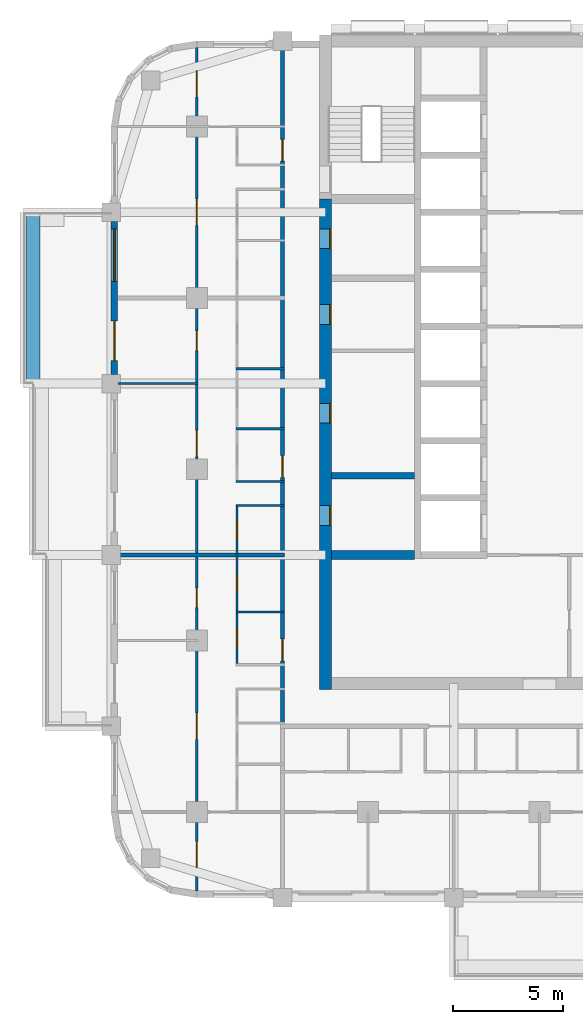
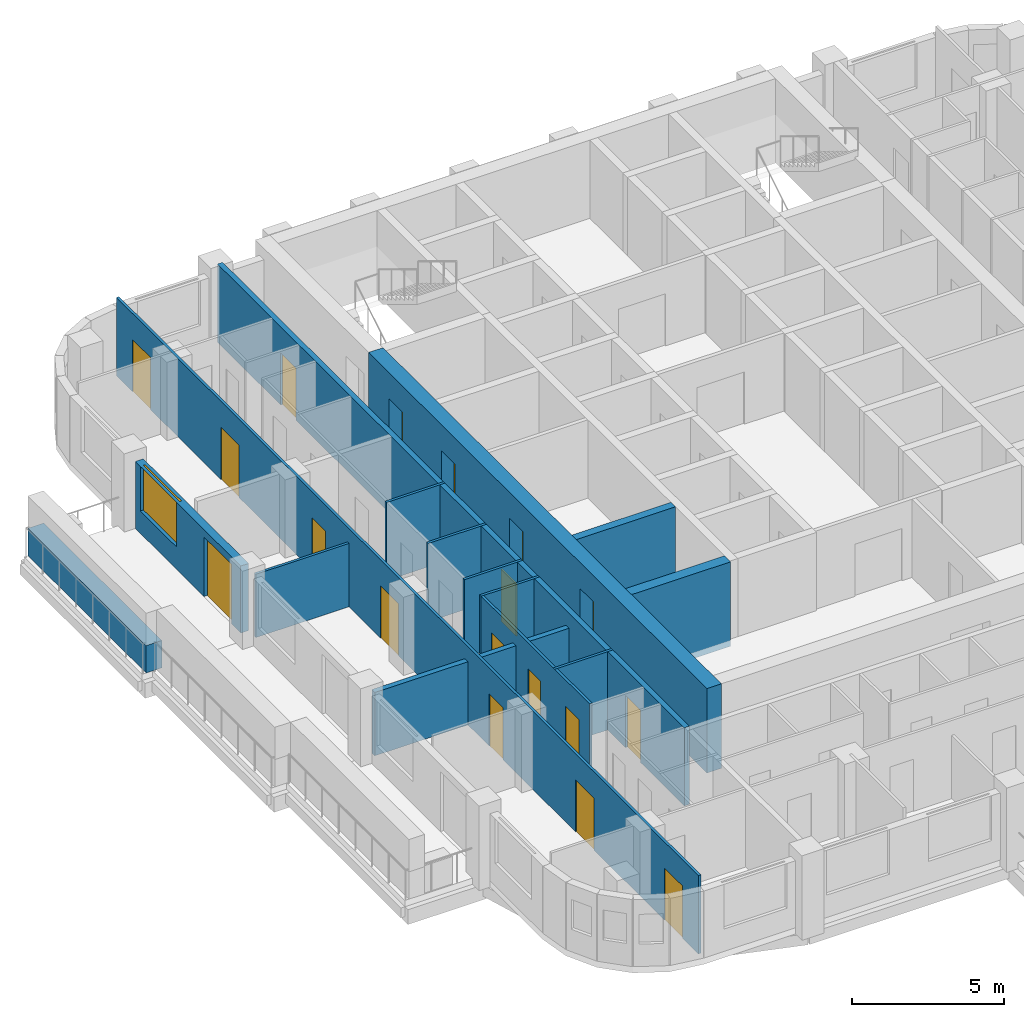
# One storey, part 4 of 13: 18 doors, 15 walls, 1 window, 19 openings.
"""IFC4 building model written with IfcOpenShell, lengths in metres."""

import ifcopenshell
import ifcopenshell.guid

model = None  # the IFC model being written
_history = None  # IfcOwnerHistory: only IFC2X3 demands one
_inside = {}  # id of a spatial element -> (the spatial element, [elements in it])
_under = {}  # id of a project, library or spatial element -> (it, [spatial elements below it])
_declared = {}  # id of a project -> (the project, [libraries it declares])
_typed = {}  # id of a type object -> (the type object, [elements of that type])
_made_of = {}  # id of a material, layer set ... -> (it, [elements and type objects made of it])


def new_model(schema):
    """Start an empty IFC model of exactly this schema.

    Asked for "IFC4X3", IfcOpenShell would pick the latest addendum, in which some entities
    have other attributes; the version numbers below select the first issue.
    IFC2X3 requires an IfcOwnerHistory on every rooted entity: one is made here for all.
    """
    global model, _history
    if schema == "IFC4X3":
        model = ifcopenshell.file(schema_version=(4, 3, 0, 0))
    else:
        model = ifcopenshell.file(schema=schema)
    _inside.clear()
    _under.clear()
    _declared.clear()
    _typed.clear()
    _made_of.clear()
    _history = None
    if model.schema == "IFC2X3":
        org = make("IfcOrganization", Name="unknown")
        user = make(
            "IfcPersonAndOrganization",
            ThePerson=make("IfcPerson", FamilyName="unknown"),
            TheOrganization=org,
        )
        app = make(
            "IfcApplication",
            ApplicationDeveloper=org,
            Version="unknown",
            ApplicationFullName="unknown",
            ApplicationIdentifier="unknown",
        )
        _history = make(
            "IfcOwnerHistory",
            OwningUser=user,
            OwningApplication=app,
            ChangeAction="ADDED",
            CreationDate=0,
        )
    return model


def make(cls, **values):
    """One entity of the class cls with the attributes given. An attribute that is None is left unset."""
    return model.create_entity(
        cls, **{name: value for name, value in values.items() if value is not None}
    )


def rooted(cls, **values):
    """An entity with a GlobalId (a new one), such as an element, a storey or a relation."""
    return make(cls, GlobalId=ifcopenshell.guid.new(), OwnerHistory=_history, **values)


def si_unit(unit_type, name, prefix=None):
    """IfcSIUnit, for example si_unit("LENGTHUNIT", "METRE", prefix="MILLI")."""
    return make("IfcSIUnit", UnitType=unit_type, Prefix=prefix, Name=name)


def assignment(units):
    """IfcUnitAssignment: the units of a project."""
    return None if units is None else make("IfcUnitAssignment", Units=units)


def point(xyz):
    """IfcCartesianPoint."""
    return None if xyz is None else make("IfcCartesianPoint", Coordinates=xyz)


def direction(xyz):
    """IfcDirection."""
    return None if xyz is None else make("IfcDirection", DirectionRatios=xyz)


def frame(location, z_axis=None, x_axis=None):
    """IfcAxis2Placement3D, a coordinate frame: its origin and axes. An axis left out is left unset."""
    return make(
        "IfcAxis2Placement3D",
        Location=point(location),
        Axis=direction(z_axis),
        RefDirection=direction(x_axis),
    )


def frame_2d(location, x_axis=None):
    """IfcAxis2Placement2D, a coordinate frame in the plane: its origin and x axis."""
    return make(
        "IfcAxis2Placement2D", Location=point(location), RefDirection=direction(x_axis)
    )


def origin():
    """The frame at (0, 0, 0) with its axes left unset."""
    return frame((0.0, 0.0, 0.0))


def place(relative_to, where):
    """IfcLocalPlacement: puts the frame where relative to a parent placement (None: the world)."""
    return make(
        "IfcLocalPlacement", PlacementRelTo=relative_to, RelativePlacement=where
    )


def context(
    kind, dimensions, precision=None, world=None, true_north=None, identifier=None
):
    """IfcGeometricRepresentationContext, for example the 3D "Model" context."""
    return make(
        "IfcGeometricRepresentationContext",
        ContextIdentifier=identifier,
        ContextType=kind,
        CoordinateSpaceDimension=dimensions,
        Precision=precision,
        WorldCoordinateSystem=world,
        TrueNorth=true_north,
    )


def subcontext(parent, identifier, kind, view, scale=None):
    """IfcGeometricRepresentationSubContext, for example "Body" below "Model"."""
    return make(
        "IfcGeometricRepresentationSubContext",
        ContextIdentifier=identifier,
        ContextType=kind,
        ParentContext=parent,
        TargetScale=scale,
        TargetView=view,
    )


def project(units=None, contexts=None):
    """IfcProject with its units and contexts."""
    return rooted(
        "IfcProject",
        Name="project",
        RepresentationContexts=contexts,
        UnitsInContext=assignment(units),
    )


def spatial(cls, under=None, at=None, **own):
    """A site, building, storey or space (cls), placed at a placement, below another one or the project."""
    s = rooted(cls, ObjectPlacement=at, **own)
    if under is not None:
        _under.setdefault(under.id(), (under, []))[1].append(s)
    return s


def profile(cls, at=None, kind="AREA", **sizes):
    """A parametric profile (cls). Its sizes go by their IFC names, for example OverallWidth=200.0."""
    return make(cls, ProfileType=kind, Position=at, **sizes)


def rectangle(**sizes):
    """IfcRectangleProfileDef."""
    return profile("IfcRectangleProfileDef", **sizes)


def extrude(swept, where, along, depth):
    """IfcExtrudedAreaSolid: the profile swept, set in the frame where, extruded along a direction by depth."""
    return make(
        "IfcExtrudedAreaSolid",
        SweptArea=swept,
        Position=where,
        ExtrudedDirection=direction(along),
        Depth=depth,
    )


def shape(context_of_items, identifier, shape_type, items):
    """IfcShapeRepresentation: the items that make up one representation, for example the "Body"."""
    return make(
        "IfcShapeRepresentation",
        ContextOfItems=context_of_items,
        RepresentationIdentifier=identifier,
        RepresentationType=shape_type,
        Items=items,
    )


def material(Name=None, Category=None):
    """IfcMaterial."""
    return make("IfcMaterial", Name=Name, Category=Category)


def layer(
    of_material, thickness, ventilated=None, Name=None, Category=None, Priority=None
):
    """IfcMaterialLayer: one layer of a wall or slab, of a material (None: an air gap)."""
    return make(
        "IfcMaterialLayer",
        Material=of_material,
        LayerThickness=thickness,
        IsVentilated=ventilated,
        Name=Name,
        Category=Category,
        Priority=Priority,
    )


def layer_set(layers, Name=None):
    """IfcMaterialLayerSet."""
    return make("IfcMaterialLayerSet", MaterialLayers=layers, LayerSetName=Name)


def made_of(thing, what):
    """Note that an element or type object is made of a material, layer set ...; save() writes the relation."""
    if what is not None:
        _made_of.setdefault(what.id(), (what, []))[1].append(thing)
    return thing


def type_object(cls, material=None, **own):
    """A type object (cls), such as IfcWallType, which elements share."""
    return made_of(rooted(cls, **own), material)


def element(
    cls,
    number,
    at=None,
    inside=None,
    cuts=None,
    type_object=None,
    material=None,
    context=None,
    identifier="Body",
    shape_type=None,
    held_by="IfcProductDefinitionShape",
    body=None,
    shapes=None,
    **own,
):
    """One element of the class cls, such as IfcWall. Its Tag is "e" and its number.

    at: its placement. inside: the storey or other place that contains it. cuts: it is an
    opening in that element (IfcRelVoidsElement). A single representation is given by context,
    identifier, shape_type and body (its items); several are given by shapes. held_by: the class
    of the entity that holds the representations. save() writes the other relations.
    """
    e = rooted(cls, Tag="e%d" % number, ObjectPlacement=at, **own)
    if body is not None:
        shapes = [shape(context, identifier, shape_type, body)]
    if shapes is not None:
        e.Representation = make(held_by, Representations=shapes)
    if inside is not None:
        _inside.setdefault(inside.id(), (inside, []))[1].append(e)
    if cuts is not None:
        rooted(
            "IfcRelVoidsElement", RelatingBuildingElement=cuts, RelatedOpeningElement=e
        )
    if type_object is not None:
        _typed.setdefault(type_object.id(), (type_object, []))[1].append(e)
    return made_of(e, material)


def fill(opening, filler):
    """IfcRelFillsElement: the door or window that sits in an opening."""
    return rooted(
        "IfcRelFillsElement",
        RelatingOpeningElement=opening,
        RelatedBuildingElement=filler,
    )


def aggregate(whole, parts):
    """IfcRelAggregates: a whole, such as a stair, and the parts it consists of."""
    return rooted("IfcRelAggregates", RelatingObject=whole, RelatedObjects=parts)


def save(model, path):
    """Write the relations noted so far, then the file.

    IfcRelAggregates (storeys below a building ...), IfcRelContainedInSpatialStructure (elements
    in a storey), IfcRelDefinesByType, IfcRelAssociatesMaterial and IfcRelDeclares: one each for
    every whole, place, type object, material and project.
    """
    for whole, parts in _under.values():
        aggregate(whole, parts)
    for where, things in _inside.values():
        rooted(
            "IfcRelContainedInSpatialStructure",
            RelatedElements=things,
            RelatingStructure=where,
        )
    for kind, things in _typed.values():
        rooted("IfcRelDefinesByType", RelatedObjects=things, RelatingType=kind)
    for what, things in _made_of.values():
        rooted("IfcRelAssociatesMaterial", RelatedObjects=things, RelatingMaterial=what)
    for by, libraries in _declared.values():
        rooted("IfcRelDeclares", RelatingContext=by, RelatedDefinitions=libraries)
    model.write(path)


model = new_model("IFC4")

# Units and contexts
model_context = context("Model", 3, precision=1e-05, world=origin(), true_north=direction((0.0, 1.0)))
body_context = subcontext(model_context, "Body", "Model", "MODEL_VIEW")
ifc_project = project(units=[si_unit("LENGTHUNIT", "METRE"), si_unit("AREAUNIT", "SQUARE_METRE"), si_unit("VOLUMEUNIT", "CUBIC_METRE"), si_unit("PLANEANGLEUNIT", "RADIAN"), si_unit("MASSUNIT", "GRAM", prefix="KILO")], contexts=[model_context])

# Site, building, storey
site_placement = place(None, origin())
site = spatial("IfcSite", under=ifc_project, at=site_placement, CompositionType="ELEMENT")
building_placement = place(site_placement, origin())
building = spatial("IfcBuilding", under=site, at=building_placement, Name="Ludao Terraces", CompositionType="ELEMENT")
storey_placement = place(building_placement, frame((0.0, 0.0, 130.5)))
storey = spatial("IfcBuildingStorey", under=building, at=storey_placement, Name="L35", CompositionType="ELEMENT", Elevation=130.5)

# Wall, openings, doors
ifc_material_1 = material(Name="Concrete C60", Category="concrete")
ifc_layer_1 = layer(ifc_material_1, 0.550048828125)
ifc_layer_set_1 = layer_set([ifc_layer_1], Name="Core wall 550 C60")
wall_type_1 = type_object("IfcWallType", Name="Core wall 550 C60", PredefinedType="SOLIDWALL", material=ifc_layer_set_1)
wall_1_placement = place(storey_placement, frame((75.25, 54.97509765625, -0.25), z_axis=(0.0, 0.0, 1.0), x_axis=(0.0, 1.0, 0.0)))
wall_1 = element("IfcWall", 1, at=wall_1_placement, inside=storey, type_object=wall_type_1, Name="Core wall L35 outer-W", PredefinedType="SOLIDWALL", context=body_context, shape_type="SweptSolid", body=[
    extrude(rectangle(XDim=22.324951171875, YDim=0.550048828125, at=frame_2d((11.16259765625, 0.0))), origin(), (0.0, 0.0, 1.0), 3.39990234375),
])
opening_1_placement = place(wall_1_placement, frame((7.47509765625, 0.0, 0.25)))
opening_1 = element("IfcOpeningElement", 2, at=opening_1_placement, cuts=wall_1, Name="Opening R11-045", PredefinedType="OPENING", context=body_context, shape_type="SweptSolid", body=[
    extrude(rectangle(XDim=0.89990234375, YDim=2.10009765625, at=frame_2d((0.449951171875, 1.050048828125))), frame((0.0, 0.28515625, 0.0), z_axis=(0.0, -1.0, 0.0), x_axis=(1.0, 0.0, 0.0)), (0.0, 0.0, 1.0), 0.570068359375),
])
opening_2_placement = place(wall_1_placement, frame((12.125, 0.0, 0.25)))
opening_2 = element("IfcOpeningElement", 3, at=opening_2_placement, cuts=wall_1, Name="Opening R11-056", PredefinedType="OPENING", context=body_context, shape_type="SweptSolid", body=[
    extrude(rectangle(XDim=0.89990234375, YDim=2.10009765625, at=frame_2d((0.449951171875, 1.050048828125))), frame((0.0, 0.28515625, 0.0), z_axis=(0.0, -1.0, 0.0), x_axis=(1.0, 0.0, 0.0)), (0.0, 0.0, 1.0), 0.570068359375),
])
opening_3_placement = place(wall_1_placement, frame((16.625, 0.0, 0.25)))
opening_3 = element("IfcOpeningElement", 4, at=opening_3_placement, cuts=wall_1, Name="Opening R11-067", PredefinedType="OPENING", context=body_context, shape_type="SweptSolid", body=[
    extrude(rectangle(XDim=0.89990234375, YDim=2.10009765625, at=frame_2d((0.449951171875, 1.050048828125))), frame((0.0, 0.28515625, 0.0), z_axis=(0.0, -1.0, 0.0), x_axis=(1.0, 0.0, 0.0)), (0.0, 0.0, 1.0), 0.570068359375),
])
opening_4_placement = place(wall_1_placement, frame((20.074951171875, 0.0, 0.25)))
opening_4 = element("IfcOpeningElement", 5, at=opening_4_placement, cuts=wall_1, Name="Opening R11-074", PredefinedType="OPENING", context=body_context, shape_type="SweptSolid", body=[
    extrude(rectangle(XDim=0.89990234375, YDim=2.10009765625, at=frame_2d((0.449951171875, 1.050048828125))), frame((0.0, 0.28515625, 0.0), z_axis=(0.0, -1.0, 0.0), x_axis=(1.0, 0.0, 0.0)), (0.0, 0.0, 1.0), 0.570068359375),
])
ifc_material_2 = material(Name="Steel Q235", Category="steel")
door_type_1 = type_object("IfcDoorType", Name="INT Riser door 900", OperationType="SINGLE_SWING_LEFT", PredefinedType="DOOR", material=ifc_material_2)
door_1_placement = place(opening_1_placement, origin())
door_1 = element("IfcDoor", 6, at=door_1_placement, inside=storey, type_object=door_type_1, Name="DOOR 045", OperationType="SINGLE_SWING_RIGHT", OverallHeight=2.10009765625, OverallWidth=0.89990234375, PredefinedType="DOOR", context=body_context, shape_type="SweptSolid", body=[
    extrude(rectangle(XDim=0.89990234375, YDim=2.10009765625, at=frame_2d((0.449951171875, 1.050048828125))), frame((0.0, -0.2099609375, 0.0), z_axis=(0.0, -1.0, 0.0), x_axis=(1.0, 0.0, 0.0)), (0.0, 0.0, 1.0), 0.050048828125),
])
fill(opening_1, door_1)
door_2_placement = place(opening_4_placement, origin())
door_2 = element("IfcDoor", 7, at=door_2_placement, inside=storey, type_object=door_type_1, Name="DOOR 074", OperationType="SINGLE_SWING_RIGHT", OverallHeight=2.10009765625, OverallWidth=0.89990234375, PredefinedType="DOOR", context=body_context, shape_type="SweptSolid", body=[
    extrude(rectangle(XDim=0.89990234375, YDim=2.10009765625, at=frame_2d((0.449951171875, 1.050048828125))), frame((0.0, -0.2099609375, 0.0), z_axis=(0.0, -1.0, 0.0), x_axis=(1.0, 0.0, 0.0)), (0.0, 0.0, 1.0), 0.050048828125),
])
fill(opening_4, door_2)
ifc_material_3 = material(Name="Timber door leaf", Category="wood")
door_type_2 = type_object("IfcDoorType", Name="INT Room door 900", OperationType="SINGLE_SWING_LEFT", PredefinedType="DOOR", material=ifc_material_3)
door_3_placement = place(opening_2_placement, origin())
door_3 = element("IfcDoor", 8, at=door_3_placement, inside=storey, type_object=door_type_2, Name="DOOR 056", OperationType="SINGLE_SWING_RIGHT", OverallHeight=2.10009765625, OverallWidth=0.89990234375, PredefinedType="DOOR", context=body_context, shape_type="SweptSolid", body=[
    extrude(rectangle(XDim=0.89990234375, YDim=2.10009765625, at=frame_2d((0.449951171875, 1.050048828125))), frame((0.0, -0.2099609375, 0.0), z_axis=(0.0, -1.0, 0.0), x_axis=(1.0, 0.0, 0.0)), (0.0, 0.0, 1.0), 0.050048828125),
])
fill(opening_2, door_3)
door_4_placement = place(opening_3_placement, origin())
door_4 = element("IfcDoor", 9, at=door_4_placement, inside=storey, type_object=door_type_2, Name="DOOR 067", OperationType="SINGLE_SWING_LEFT", OverallHeight=2.10009765625, OverallWidth=0.89990234375, PredefinedType="DOOR", context=body_context, shape_type="SweptSolid", body=[
    extrude(rectangle(XDim=0.89990234375, YDim=2.10009765625, at=frame_2d((0.449951171875, 1.050048828125))), frame((0.0, -0.2099609375, 0.0), z_axis=(0.0, -1.0, 0.0), x_axis=(1.0, 0.0, 0.0)), (0.0, 0.0, 1.0), 0.050048828125),
])
fill(opening_3, door_4)

# Wall
ifc_material_4 = material(Name="Concrete C40", Category="concrete")
ifc_layer_2 = layer(ifc_material_4, 0.60009765625)
ifc_layer_set_2 = layer_set([ifc_layer_2], Name="ENV Planter trough 600")
wall_type_2 = type_object("IfcWallType", Name="ENV Planter trough 600", PredefinedType="USERDEFINED", material=ifc_layer_set_2)
wall_2_placement = place(storey_placement, frame((61.949951171875, 68.89990234375, 0.0), z_axis=(0.0, 0.0, 1.0), x_axis=(0.0, 1.0, 0.0)))
element("IfcWall", 10, at=wall_2_placement, inside=storey, type_object=wall_type_2, Name="PL-L35-W3", ObjectType="PLANTER", PredefinedType="USERDEFINED", context=body_context, shape_type="SweptSolid", body=[
    extrude(rectangle(XDim=7.800048828125, YDim=0.60009765625, at=frame_2d((3.89990234375, 0.0))), origin(), (0.0, 0.0, 1.0), 1.10009765625),
])

# Wall, openings, door, window
ifc_material_5 = material(Name="Granite cladding", Category="masonry")
ifc_layer_3 = layer(ifc_material_5, 0.0400390625, Category="stone")
ifc_material_6 = material(Name="Mineral wool")
ifc_layer_4 = layer(ifc_material_6, 0.06005859375)
ifc_layer_5 = layer(ifc_material_4, 0.199951171875, Category="concrete")
ifc_layer_set_3 = layer_set([ifc_layer_3, ifc_layer_4, ifc_layer_5], Name="ENV Stone-clad wall 300")
wall_type_3 = type_object("IfcWallType", Name="ENV Stone-clad wall 300", PredefinedType="SOLIDWALL", material=ifc_layer_set_3)
wall_3_placement = place(storey_placement, frame((65.64990234375, 69.324951171875, 0.0), z_axis=(0.0, 0.0, 1.0), x_axis=(0.0, 1.0, 0.0)))
wall_3 = element("IfcWall", 11, at=wall_3_placement, inside=storey, type_object=wall_type_3, Name="EW-L35-W4", PredefinedType="SOLIDWALL", context=body_context, shape_type="SweptSolid", body=[
    extrude(rectangle(XDim=6.949951171875, YDim=0.300048828125, at=frame_2d((3.47509765625, 0.0))), origin(), (0.0, 0.0, 1.0), 2.699951171875),
])
opening_5_placement = place(wall_3_placement, frame((0.625, 0.0, 0.0)))
opening_5 = element("IfcOpeningElement", 12, at=opening_5_placement, cuts=wall_3, Name="Opening BD", PredefinedType="OPENING", context=body_context, shape_type="SweptSolid", body=[
    extrude(rectangle(XDim=1.800048828125, YDim=2.39990234375, at=frame_2d((0.89990234375, 1.199951171875))), frame((0.0, 0.16015625, 0.0), z_axis=(0.0, -1.0, 0.0), x_axis=(1.0, 0.0, 0.0)), (0.0, 0.0, 1.0), 0.320068359375),
])
opening_6_placement = place(wall_3_placement, frame((4.22509765625, 0.0, 0.89990234375)))
opening_6 = element("IfcOpeningElement", 13, at=opening_6_placement, cuts=wall_3, Name="Opening W1", PredefinedType="OPENING", context=body_context, shape_type="SweptSolid", body=[
    extrude(rectangle(XDim=2.39990234375, YDim=1.800048828125, at=frame_2d((1.199951171875, 0.89990234375))), frame((0.0, 0.16015625, 0.0), z_axis=(0.0, -1.0, 0.0), x_axis=(1.0, 0.0, 0.0)), (0.0, 0.0, 1.0), 0.320068359375),
])
ifc_material_7 = material(Name="Aluminium glazed door", Category="aluminium")
ifc_layer_6 = layer(ifc_material_7, 0.06005859375)
ifc_layer_set_4 = layer_set([ifc_layer_6], Name="ENV Balcony door BD 1800x2400")
door_type_3 = type_object("IfcDoorType", Name="ENV Balcony door BD 1800x2400", OperationType="DOUBLE_DOOR_SINGLE_SWING", PredefinedType="DOOR", material=ifc_layer_set_4)
door_5_placement = place(opening_5_placement, origin())
door_5 = element("IfcDoor", 14, at=door_5_placement, inside=storey, type_object=door_type_3, Name="BD-L35-W4-1", OperationType="DOUBLE_DOOR_SINGLE_SWING", OverallHeight=2.39990234375, OverallWidth=1.800048828125, PredefinedType="DOOR", context=body_context, shape_type="SweptSolid", body=[
    extrude(rectangle(XDim=1.800048828125, YDim=2.39990234375, at=frame_2d((0.89990234375, 1.199951171875))), frame((0.0, 0.02490234375, 0.0), z_axis=(0.0, -1.0, 0.0), x_axis=(1.0, 0.0, 0.0)), (0.0, 0.0, 1.0), 0.050048828125),
])
fill(opening_5, door_5)
ifc_material_8 = material(Name="Clear glass in aluminium frame", Category="aluminium")
ifc_layer_7 = layer(ifc_material_8, 0.06005859375)
ifc_layer_set_5 = layer_set([ifc_layer_7], Name="ENV Window W1 2400x1800")
window_type = type_object("IfcWindowType", Name="ENV Window W1 2400x1800", PartitioningType="DOUBLE_PANEL_VERTICAL", PredefinedType="WINDOW", material=ifc_layer_set_5)
window_placement = place(opening_6_placement, origin())
window = element("IfcWindow", 15, at=window_placement, inside=storey, type_object=window_type, Name="W-L35-W4-2", OverallHeight=1.800048828125, OverallWidth=2.39990234375, PartitioningType="DOUBLE_PANEL_VERTICAL", PredefinedType="WINDOW", context=body_context, shape_type="SweptSolid", body=[
    extrude(rectangle(XDim=2.39990234375, YDim=1.800048828125, at=frame_2d((1.199951171875, 0.89990234375))), frame((0.0, 0.030029296875, 0.0), z_axis=(0.0, -1.0, 0.0), x_axis=(1.0, 0.0, 0.0)), (0.0, 0.0, 1.0), 0.06005859375),
])
fill(opening_6, window)

# Wall, openings, doors
ifc_material_9 = material(Name="Autoclaved aerated concrete block B06 A3.5", Category="concrete")
ifc_layer_8 = layer(ifc_material_9, 0.199951171875)
ifc_layer_set_6 = layer_set([ifc_layer_8], Name="INT Entrance wall 200")
wall_type_4 = type_object("IfcWallType", Name="INT Entrance wall 200", PredefinedType="PARTITIONING", material=ifc_layer_set_6)
wall_4_placement = place(storey_placement, frame((73.300048828125, 53.400146484375, 0.0), z_axis=(0.0, 0.0, 1.0), x_axis=(0.0, 1.0, 0.0)))
wall_4 = element("IfcWall", 16, at=wall_4_placement, inside=storey, type_object=wall_type_4, Name="PW-L35-PW053", PredefinedType="PARTITIONING", context=body_context, shape_type="SweptSolid", body=[
    extrude(rectangle(XDim=30.800048828125, YDim=0.199951171875, at=frame_2d((15.39990234375, 0.0))), origin(), (0.0, 0.0, 1.0), 3.14990234375),
])
opening_7_placement = place(wall_4_placement, frame((2.875, 0.0, 0.0)))
opening_7 = element("IfcOpeningElement", 17, at=opening_7_placement, cuts=wall_4, Name="Opening R11-034", PredefinedType="OPENING", context=body_context, shape_type="SweptSolid", body=[
    extrude(rectangle(XDim=1.0, YDim=2.10009765625, at=frame_2d((0.5, 1.050048828125))), frame((0.0, 0.10986328125, 0.0), z_axis=(0.0, -1.0, 0.0), x_axis=(1.0, 0.0, 0.0)), (0.0, 0.0, 1.0), 0.219970703125),
])
opening_8_placement = place(wall_4_placement, frame((11.22509765625, 0.0, 0.0)))
opening_8 = element("IfcOpeningElement", 18, at=opening_8_placement, cuts=wall_4, Name="Opening R11-050", PredefinedType="OPENING", context=body_context, shape_type="SweptSolid", body=[
    extrude(rectangle(XDim=1.0, YDim=2.10009765625, at=frame_2d((0.5, 1.050048828125))), frame((0.0, 0.10986328125, 0.0), z_axis=(0.0, -1.0, 0.0), x_axis=(1.0, 0.0, 0.0)), (0.0, 0.0, 1.0), 0.219970703125),
])
opening_9_placement = place(wall_4_placement, frame((25.625, 0.0, 0.0)))
opening_9 = element("IfcOpeningElement", 19, at=opening_9_placement, cuts=wall_4, Name="Opening R11-084", PredefinedType="OPENING", context=body_context, shape_type="SweptSolid", body=[
    extrude(rectangle(XDim=1.0, YDim=2.10009765625, at=frame_2d((0.5, 1.050048828125))), frame((0.0, 0.10986328125, 0.0), z_axis=(0.0, -1.0, 0.0), x_axis=(1.0, 0.0, 0.0)), (0.0, 0.0, 1.0), 0.219970703125),
])
door_type_4 = type_object("IfcDoorType", Name="INT Flat entrance door 1000", OperationType="SINGLE_SWING_LEFT", PredefinedType="DOOR", material=ifc_material_2)
door_6_placement = place(opening_7_placement, origin())
door_6 = element("IfcDoor", 20, at=door_6_placement, inside=storey, type_object=door_type_4, Name="DOOR 034", OperationType="SINGLE_SWING_RIGHT", OverallHeight=2.10009765625, OverallWidth=1.0, PredefinedType="DOOR", context=body_context, shape_type="SweptSolid", body=[
    extrude(rectangle(XDim=1.0, YDim=2.10009765625, at=frame_2d((0.5, 1.050048828125))), frame((0.0, 0.02490234375, 0.0), z_axis=(0.0, -1.0, 0.0), x_axis=(1.0, 0.0, 0.0)), (0.0, 0.0, 1.0), 0.050048828125),
])
fill(opening_7, door_6)
door_7_placement = place(opening_8_placement, origin())
door_7 = element("IfcDoor", 21, at=door_7_placement, inside=storey, type_object=door_type_4, Name="DOOR 050", OperationType="SINGLE_SWING_RIGHT", OverallHeight=2.10009765625, OverallWidth=1.0, PredefinedType="DOOR", context=body_context, shape_type="SweptSolid", body=[
    extrude(rectangle(XDim=1.0, YDim=2.10009765625, at=frame_2d((0.5, 1.050048828125))), frame((0.0, 0.02490234375, 0.0), z_axis=(0.0, -1.0, 0.0), x_axis=(1.0, 0.0, 0.0)), (0.0, 0.0, 1.0), 0.050048828125),
])
fill(opening_8, door_7)
door_8_placement = place(opening_9_placement, origin())
door_8 = element("IfcDoor", 22, at=door_8_placement, inside=storey, type_object=door_type_4, Name="DOOR 084", OperationType="SINGLE_SWING_RIGHT", OverallHeight=2.10009765625, OverallWidth=1.0, PredefinedType="DOOR", context=body_context, shape_type="SweptSolid", body=[
    extrude(rectangle(XDim=1.0, YDim=2.10009765625, at=frame_2d((0.5, 1.050048828125))), frame((0.0, 0.02490234375, 0.0), z_axis=(0.0, -1.0, 0.0), x_axis=(1.0, 0.0, 0.0)), (0.0, 0.0, 1.0), 0.050048828125),
])
fill(opening_9, door_8)

# Walls
ifc_material_10 = material(Name="Gypsum plasterboard", Category="gypsum")
ifc_layer_9 = layer(ifc_material_10, 0.012451171875, Category="gypsum")
ifc_layer_10 = layer(ifc_material_6, 0.06005859375, Name="insulation")
ifc_layer_11 = layer(ifc_material_2, 0.014892578125, Name="stud")
ifc_layer_12 = layer(ifc_material_10, 0.012451171875, Category="gypsum")
ifc_layer_set_7 = layer_set([ifc_layer_9, ifc_layer_10, ifc_layer_11, ifc_layer_12], Name="INT Partition 100")
wall_type_5 = type_object("IfcWallType", Name="INT Partition 100", PredefinedType="PARTITIONING", material=ifc_layer_set_7)
for number, where, z_axis, x_axis, name in (
    (23, (71.18017578125, 58.5, 0.0), (0.0, 0.0, 1.0), (1.0, 0.0, 0.0), "PW-L35-PW016"),
    (24, (71.18017578125, 63.35009765625, 0.0), (0.0, 0.0, 1.0), (1.0, 0.0, 0.0), "PW-L35-PW021"),
    (25, (71.18017578125, 64.449951171875, 0.0), (0.0, 0.0, 1.0), (1.0, 0.0, 0.0), "PW-L35-PW023"),
    (26, (71.18017578125, 66.85009765625, 0.0), (0.0, 0.0, 1.0), (1.0, 0.0, 0.0), "PW-L35-PW026"),
):
    element("IfcWall", number, at=place(storey_placement, frame(where, z_axis=z_axis, x_axis=x_axis)), inside=storey, type_object=wall_type_5, Name=name, PredefinedType="PARTITIONING", context=body_context, shape_type="SweptSolid", body=[
        extrude(rectangle(XDim=2.219970703125, YDim=0.10009765625, at=frame_2d((1.10986328125, 0.0))), origin(), (0.0, 0.0, 1.0), 3.14990234375),
    ])
wall_5_placement = place(storey_placement, frame((65.800048828125, 68.89990234375, 0.0), z_axis=(0.0, 0.0, 1.0), x_axis=(1.0, 0.0, 0.0)))
element("IfcWall", 27, at=wall_5_placement, inside=storey, type_object=wall_type_5, Name="PW-L35-PW028", PredefinedType="PARTITIONING", context=body_context, shape_type="SweptSolid", body=[
    extrude(rectangle(XDim=3.650146484375, YDim=0.10009765625, at=frame_2d((1.8251953125, 0.0))), origin(), (0.0, 0.0, 1.0), 2.550048828125),
])
wall_6_placement = place(storey_placement, frame((71.18017578125, 69.580078125, 0.0), z_axis=(0.0, 0.0, 1.0), x_axis=(1.0, 0.0, 0.0)))
element("IfcWall", 28, at=wall_6_placement, inside=storey, type_object=wall_type_5, Name="PW-L35-PW030", PredefinedType="PARTITIONING", context=body_context, shape_type="SweptSolid", body=[
    extrude(rectangle(XDim=2.219970703125, YDim=0.10009765625, at=frame_2d((1.10986328125, 0.0))), origin(), (0.0, 0.0, 1.0), 3.14990234375),
])

# Wall, openings, doors
wall_7_placement = place(storey_placement, frame((69.39990234375, 45.800048828125, 0.0), z_axis=(0.0, 0.0, 1.0), x_axis=(0.0, 1.0, 0.0)))
wall_7 = element("IfcWall", 29, at=wall_7_placement, inside=storey, type_object=wall_type_5, Name="PW-L35-PW047", PredefinedType="PARTITIONING", context=body_context, shape_type="SweptSolid", body=[
    extrude(rectangle(XDim=38.400146484375, YDim=0.10009765625, at=frame_2d((19.2001953125, 0.0))), origin(), (0.0, 0.0, 1.0), 3.14990234375),
])
opening_10_placement = place(wall_7_placement, frame((1.050048828125, 0.0, 0.0)))
opening_10 = element("IfcOpeningElement", 30, at=opening_10_placement, cuts=wall_7, Name="Opening R11-001", PredefinedType="OPENING", context=body_context, shape_type="SweptSolid", body=[
    extrude(rectangle(XDim=1.199951171875, YDim=2.10009765625, at=frame_2d((0.60009765625, 1.050048828125))), frame((0.0, 0.06005859375, 0.0), z_axis=(0.0, -1.0, 0.0), x_axis=(1.0, 0.0, 0.0)), (0.0, 0.0, 1.0), 0.1201171875),
])
opening_11_placement = place(wall_7_placement, frame((6.89990234375, 0.0, 0.0)))
opening_11 = element("IfcOpeningElement", 31, at=opening_11_placement, cuts=wall_7, Name="Opening R11-025", PredefinedType="OPENING", context=body_context, shape_type="SweptSolid", body=[
    extrude(rectangle(XDim=1.199951171875, YDim=2.10009765625, at=frame_2d((0.60009765625, 1.050048828125))), frame((0.0, 0.06005859375, 0.0), z_axis=(0.0, -1.0, 0.0), x_axis=(1.0, 0.0, 0.0)), (0.0, 0.0, 1.0), 0.1201171875),
])
opening_12_placement = place(wall_7_placement, frame((12.89990234375, 0.0, 0.0)))
opening_12 = element("IfcOpeningElement", 32, at=opening_12_placement, cuts=wall_7, Name="Opening R11-037", PredefinedType="OPENING", context=body_context, shape_type="SweptSolid", body=[
    extrude(rectangle(XDim=0.89990234375, YDim=2.10009765625, at=frame_2d((0.449951171875, 1.050048828125))), frame((0.0, 0.06005859375, 0.0), z_axis=(0.0, -1.0, 0.0), x_axis=(1.0, 0.0, 0.0)), (0.0, 0.0, 1.0), 0.1201171875),
])
opening_13_placement = place(wall_7_placement, frame((19.77490234375, 0.0, 0.0)))
opening_13 = element("IfcOpeningElement", 33, at=opening_13_placement, cuts=wall_7, Name="Opening R11-053", PredefinedType="OPENING", context=body_context, shape_type="SweptSolid", body=[
    extrude(rectangle(XDim=1.199951171875, YDim=2.10009765625, at=frame_2d((0.60009765625, 1.050048828125))), frame((0.0, 0.06005859375, 0.0), z_axis=(0.0, -1.0, 0.0), x_axis=(1.0, 0.0, 0.0)), (0.0, 0.0, 1.0), 0.1201171875),
])
opening_14_placement = place(wall_7_placement, frame((24.60009765625, 0.0, 0.0)))
opening_14 = element("IfcOpeningElement", 34, at=opening_14_placement, cuts=wall_7, Name="Opening R11-063", PredefinedType="OPENING", context=body_context, shape_type="SweptSolid", body=[
    extrude(rectangle(XDim=0.89990234375, YDim=2.10009765625, at=frame_2d((0.449951171875, 1.050048828125))), frame((0.0, 0.06005859375, 0.0), z_axis=(0.0, -1.0, 0.0), x_axis=(1.0, 0.0, 0.0)), (0.0, 0.0, 1.0), 0.1201171875),
])
opening_15_placement = place(wall_7_placement, frame((30.300048828125, 0.0, 0.0)))
opening_15 = element("IfcOpeningElement", 35, at=opening_15_placement, cuts=wall_7, Name="Opening R11-077", PredefinedType="OPENING", context=body_context, shape_type="SweptSolid", body=[
    extrude(rectangle(XDim=1.199951171875, YDim=2.10009765625, at=frame_2d((0.60009765625, 1.050048828125))), frame((0.0, 0.06005859375, 0.0), z_axis=(0.0, -1.0, 0.0), x_axis=(1.0, 0.0, 0.0)), (0.0, 0.0, 1.0), 0.1201171875),
])
opening_16_placement = place(wall_7_placement, frame((36.14990234375, 0.0, 0.0)))
opening_16 = element("IfcOpeningElement", 36, at=opening_16_placement, cuts=wall_7, Name="Opening R11-091", PredefinedType="OPENING", context=body_context, shape_type="SweptSolid", body=[
    extrude(rectangle(XDim=1.199951171875, YDim=2.10009765625, at=frame_2d((0.60009765625, 1.050048828125))), frame((0.0, 0.06005859375, 0.0), z_axis=(0.0, -1.0, 0.0), x_axis=(1.0, 0.0, 0.0)), (0.0, 0.0, 1.0), 0.1201171875),
])
door_type_5 = type_object("IfcDoorType", Name="INT Double door 1200", OperationType="DOUBLE_DOOR_SINGLE_SWING", PredefinedType="DOOR", material=ifc_material_3)
door_9_placement = place(opening_10_placement, origin())
door_9 = element("IfcDoor", 37, at=door_9_placement, inside=storey, type_object=door_type_5, Name="DOOR 001", OperationType="DOUBLE_DOOR_SINGLE_SWING", OverallHeight=2.10009765625, OverallWidth=1.199951171875, PredefinedType="DOOR", context=body_context, shape_type="SweptSolid", body=[
    extrude(rectangle(XDim=1.199951171875, YDim=2.10009765625, at=frame_2d((0.60009765625, 1.050048828125))), frame((0.0, 0.02490234375, 0.0), z_axis=(0.0, -1.0, 0.0), x_axis=(1.0, 0.0, 0.0)), (0.0, 0.0, 1.0), 0.050048828125),
])
fill(opening_10, door_9)
door_10_placement = place(opening_11_placement, origin())
door_10 = element("IfcDoor", 38, at=door_10_placement, inside=storey, type_object=door_type_5, Name="DOOR 025", OperationType="DOUBLE_DOOR_SINGLE_SWING", OverallHeight=2.10009765625, OverallWidth=1.199951171875, PredefinedType="DOOR", context=body_context, shape_type="SweptSolid", body=[
    extrude(rectangle(XDim=1.199951171875, YDim=2.10009765625, at=frame_2d((0.60009765625, 1.050048828125))), frame((0.0, 0.02490234375, 0.0), z_axis=(0.0, -1.0, 0.0), x_axis=(1.0, 0.0, 0.0)), (0.0, 0.0, 1.0), 0.050048828125),
])
fill(opening_11, door_10)
door_11_placement = place(opening_13_placement, origin())
door_11 = element("IfcDoor", 39, at=door_11_placement, inside=storey, type_object=door_type_5, Name="DOOR 053", OperationType="DOUBLE_DOOR_SINGLE_SWING", OverallHeight=2.10009765625, OverallWidth=1.199951171875, PredefinedType="DOOR", context=body_context, shape_type="SweptSolid", body=[
    extrude(rectangle(XDim=1.199951171875, YDim=2.10009765625, at=frame_2d((0.60009765625, 1.050048828125))), frame((0.0, 0.02490234375, 0.0), z_axis=(0.0, -1.0, 0.0), x_axis=(1.0, 0.0, 0.0)), (0.0, 0.0, 1.0), 0.050048828125),
])
fill(opening_13, door_11)
door_12_placement = place(opening_15_placement, origin())
door_12 = element("IfcDoor", 40, at=door_12_placement, inside=storey, type_object=door_type_5, Name="DOOR 077", OperationType="DOUBLE_DOOR_SINGLE_SWING", OverallHeight=2.10009765625, OverallWidth=1.199951171875, PredefinedType="DOOR", context=body_context, shape_type="SweptSolid", body=[
    extrude(rectangle(XDim=1.199951171875, YDim=2.10009765625, at=frame_2d((0.60009765625, 1.050048828125))), frame((0.0, 0.02490234375, 0.0), z_axis=(0.0, -1.0, 0.0), x_axis=(1.0, 0.0, 0.0)), (0.0, 0.0, 1.0), 0.050048828125),
])
fill(opening_15, door_12)
door_13_placement = place(opening_16_placement, origin())
door_13 = element("IfcDoor", 41, at=door_13_placement, inside=storey, type_object=door_type_5, Name="DOOR 091", OperationType="DOUBLE_DOOR_SINGLE_SWING", OverallHeight=2.10009765625, OverallWidth=1.199951171875, PredefinedType="DOOR", context=body_context, shape_type="SweptSolid", body=[
    extrude(rectangle(XDim=1.199951171875, YDim=2.10009765625, at=frame_2d((0.60009765625, 1.050048828125))), frame((0.0, 0.02490234375, 0.0), z_axis=(0.0, -1.0, 0.0), x_axis=(1.0, 0.0, 0.0)), (0.0, 0.0, 1.0), 0.050048828125),
])
fill(opening_16, door_13)
door_14_placement = place(opening_12_placement, origin())
door_14 = element("IfcDoor", 42, at=door_14_placement, inside=storey, type_object=door_type_2, Name="DOOR 037", OperationType="SINGLE_SWING_LEFT", OverallHeight=2.10009765625, OverallWidth=0.89990234375, PredefinedType="DOOR", context=body_context, shape_type="SweptSolid", body=[
    extrude(rectangle(XDim=0.89990234375, YDim=2.10009765625, at=frame_2d((0.449951171875, 1.050048828125))), frame((0.0, 0.02490234375, 0.0), z_axis=(0.0, -1.0, 0.0), x_axis=(1.0, 0.0, 0.0)), (0.0, 0.0, 1.0), 0.050048828125),
])
fill(opening_12, door_14)
door_15_placement = place(opening_14_placement, origin())
door_15 = element("IfcDoor", 43, at=door_15_placement, inside=storey, type_object=door_type_2, Name="DOOR 063", OperationType="SINGLE_SWING_LEFT", OverallHeight=2.10009765625, OverallWidth=0.89990234375, PredefinedType="DOOR", context=body_context, shape_type="SweptSolid", body=[
    extrude(rectangle(XDim=0.89990234375, YDim=2.10009765625, at=frame_2d((0.449951171875, 1.050048828125))), frame((0.0, 0.02490234375, 0.0), z_axis=(0.0, -1.0, 0.0), x_axis=(1.0, 0.0, 0.0)), (0.0, 0.0, 1.0), 0.050048828125),
])
fill(opening_14, door_15)

wall_8_placement = place(storey_placement, frame((71.22998046875, 56.150146484375, 0.0), z_axis=(0.0, 0.0, 1.0), x_axis=(0.0, 1.0, 0.0)))
wall_8 = element("IfcWall", 44, at=wall_8_placement, inside=storey, type_object=wall_type_5, Name="PW-L35-PW049", PredefinedType="PARTITIONING", context=body_context, shape_type="SweptSolid", body=[
    extrude(rectangle(XDim=7.14990234375, YDim=0.10009765625, at=frame_2d((3.574951171875, 0.0))), origin(), (0.0, 0.0, 1.0), 3.14990234375),
])
opening_17_placement = place(wall_8_placement, frame((0.699951171875, 0.0, 0.0)))
opening_17 = element("IfcOpeningElement", 45, at=opening_17_placement, cuts=wall_8, Name="Opening R11-035", PredefinedType="OPENING", context=body_context, shape_type="SweptSolid", body=[
    extrude(rectangle(XDim=0.89990234375, YDim=2.10009765625, at=frame_2d((0.449951171875, 1.050048828125))), frame((0.0, 0.06005859375, 0.0), z_axis=(0.0, -1.0, 0.0), x_axis=(1.0, 0.0, 0.0)), (0.0, 0.0, 1.0), 0.1201171875),
])
opening_18_placement = place(wall_8_placement, frame((3.25, 0.0, 0.0)))
opening_18 = element("IfcOpeningElement", 46, at=opening_18_placement, cuts=wall_8, Name="Opening R11-040", PredefinedType="OPENING", context=body_context, shape_type="SweptSolid", body=[
    extrude(rectangle(XDim=0.800048828125, YDim=2.10009765625, at=frame_2d((0.39990234375, 1.050048828125))), frame((0.0, 0.06005859375, 0.0), z_axis=(0.0, -1.0, 0.0), x_axis=(1.0, 0.0, 0.0)), (0.0, 0.0, 1.0), 0.1201171875),
])
opening_19_placement = place(wall_8_placement, frame((5.675048828125, 0.0, 0.0)))
opening_19 = element("IfcOpeningElement", 47, at=opening_19_placement, cuts=wall_8, Name="Opening R11-043", PredefinedType="OPENING", context=body_context, shape_type="SweptSolid", body=[
    extrude(rectangle(XDim=0.800048828125, YDim=2.10009765625, at=frame_2d((0.39990234375, 1.050048828125))), frame((0.0, 0.06005859375, 0.0), z_axis=(0.0, -1.0, 0.0), x_axis=(1.0, 0.0, 0.0)), (0.0, 0.0, 1.0), 0.1201171875),
])
door_type_6 = type_object("IfcDoorType", Name="INT Bathroom door 900", OperationType="SINGLE_SWING_LEFT", PredefinedType="DOOR", material=ifc_material_3)
door_16_placement = place(opening_17_placement, origin())
door_16 = element("IfcDoor", 48, at=door_16_placement, inside=storey, type_object=door_type_6, Name="DOOR 035", OperationType="SINGLE_SWING_RIGHT", OverallHeight=2.10009765625, OverallWidth=0.89990234375, PredefinedType="DOOR", context=body_context, shape_type="SweptSolid", body=[
    extrude(rectangle(XDim=0.89990234375, YDim=2.10009765625, at=frame_2d((0.449951171875, 1.050048828125))), frame((0.0, 0.02490234375, 0.0), z_axis=(0.0, -1.0, 0.0), x_axis=(1.0, 0.0, 0.0)), (0.0, 0.0, 1.0), 0.050048828125),
])
fill(opening_17, door_16)
door_type_7 = type_object("IfcDoorType", Name="INT Store door 800", OperationType="SINGLE_SWING_LEFT", PredefinedType="DOOR", material=ifc_material_3)
door_17_placement = place(opening_18_placement, origin())
door_17 = element("IfcDoor", 49, at=door_17_placement, inside=storey, type_object=door_type_7, Name="DOOR 040", OperationType="SINGLE_SWING_LEFT", OverallHeight=2.10009765625, OverallWidth=0.800048828125, PredefinedType="DOOR", context=body_context, shape_type="SweptSolid", body=[
    extrude(rectangle(XDim=0.800048828125, YDim=2.10009765625, at=frame_2d((0.39990234375, 1.050048828125))), frame((0.0, 0.02490234375, 0.0), z_axis=(0.0, -1.0, 0.0), x_axis=(1.0, 0.0, 0.0)), (0.0, 0.0, 1.0), 0.050048828125),
])
fill(opening_18, door_17)
door_18_placement = place(opening_19_placement, origin())
door_18 = element("IfcDoor", 50, at=door_18_placement, inside=storey, type_object=door_type_7, Name="DOOR 043", OperationType="SINGLE_SWING_RIGHT", OverallHeight=2.10009765625, OverallWidth=0.800048828125, PredefinedType="DOOR", context=body_context, shape_type="SweptSolid", body=[
    extrude(rectangle(XDim=0.800048828125, YDim=2.10009765625, at=frame_2d((0.39990234375, 1.050048828125))), frame((0.0, 0.02490234375, 0.0), z_axis=(0.0, -1.0, 0.0), x_axis=(1.0, 0.0, 0.0)), (0.0, 0.0, 1.0), 0.050048828125),
])
fill(opening_19, door_18)

# Walls
ifc_layer_13 = layer(ifc_material_9, 0.199951171875)
ifc_layer_set_8 = layer_set([ifc_layer_13], Name="INT Party wall 200")
wall_type_6 = type_object("IfcWallType", Name="INT Party wall 200", PredefinedType="PARTITIONING", material=ifc_layer_set_8)
wall_9_placement = place(storey_placement, frame((65.800048828125, 61.10009765625, 0.0), z_axis=(0.0, 0.0, 1.0), x_axis=(1.0, 0.0, 0.0)))
element("IfcWall", 51, at=wall_9_placement, inside=storey, type_object=wall_type_6, Name="PW-L35-PW017", PredefinedType="PARTITIONING", context=body_context, shape_type="SweptSolid", body=[
    extrude(rectangle(XDim=7.60009765625, YDim=0.199951171875, at=frame_2d((3.800048828125, 0.0))), origin(), (0.0, 0.0, 1.0), 2.550048828125),
])
ifc_material_11 = material(Name="Concrete C55", Category="concrete")
ifc_layer_14 = layer(ifc_material_11, 0.300048828125)
ifc_layer_set_9 = layer_set([ifc_layer_14], Name="Shaft wall 300 C55")
wall_type_7 = type_object("IfcWallType", Name="Shaft wall 300 C55", PredefinedType="SOLIDWALL", material=ifc_layer_set_9)
wall_10_placement = place(storey_placement, frame((75.52490234375, 64.699951171875, -0.25), z_axis=(0.0, 0.0, 1.0), x_axis=(1.0, 0.0, 0.0)))
element("IfcWall", 52, at=wall_10_placement, inside=storey, type_object=wall_type_7, Name="Core wall L35 riser-a-W", PredefinedType="SOLIDWALL", context=body_context, shape_type="SweptSolid", body=[
    extrude(rectangle(XDim=3.775146484375, YDim=0.300048828125, at=frame_2d((1.8876953125, 0.0))), origin(), (0.0, 0.0, 1.0), 3.39990234375),
])
ifc_layer_15 = layer(ifc_material_11, 0.39990234375)
ifc_layer_set_10 = layer_set([ifc_layer_15], Name="Shaft wall 400 C55")
wall_type_8 = type_object("IfcWallType", Name="Shaft wall 400 C55", PredefinedType="SOLIDWALL", material=ifc_layer_set_10)
wall_11_placement = place(storey_placement, frame((75.52490234375, 61.10009765625, -0.25), z_axis=(0.0, 0.0, 1.0), x_axis=(1.0, 0.0, 0.0)))
element("IfcWall", 53, at=wall_11_placement, inside=storey, type_object=wall_type_8, Name="Core wall L35 hall-W", PredefinedType="SOLIDWALL", context=body_context, shape_type="SweptSolid", body=[
    extrude(rectangle(XDim=3.775146484375, YDim=0.39990234375, at=frame_2d((1.8876953125, 0.0))), origin(), (0.0, 0.0, 1.0), 3.39990234375),
])

save(model, "model.ifc")
